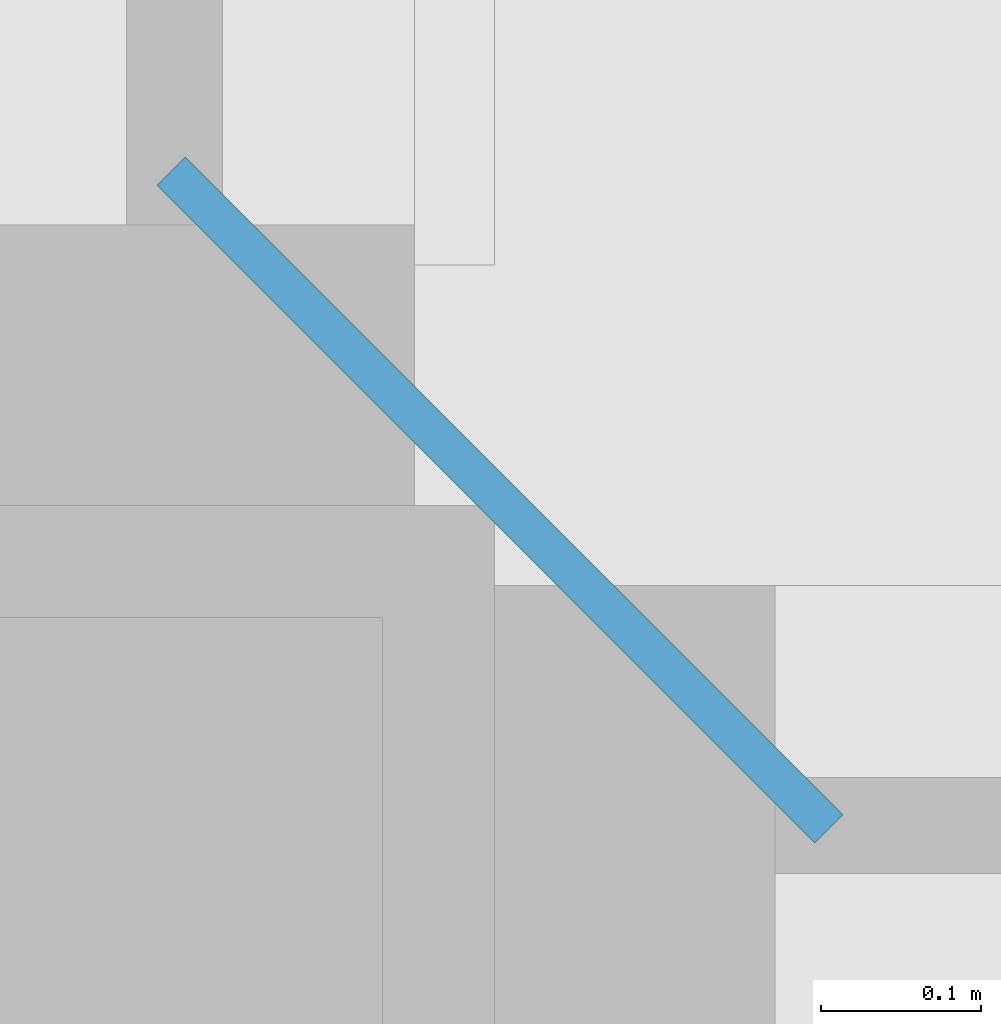
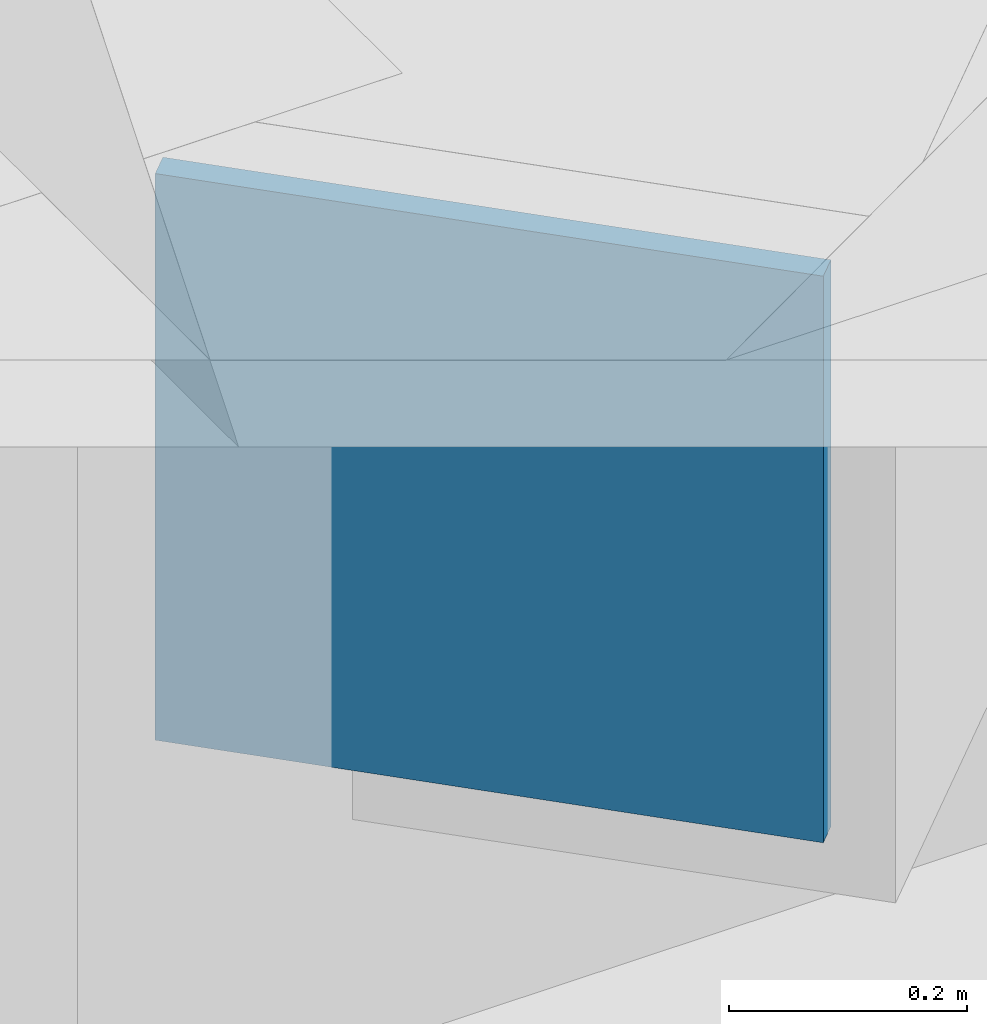
# One storey, part 3 of 15: 1 plate.
"""IFC4 building model written with IfcOpenShell, lengths in metres."""

from ifc_helpers import new_model, si_unit, direction, frame, origin, origin_2d, place, context, subcontext, project, spatial, rectangle, extrude, material, layer, layer_set, type_object, element, save


model = new_model("IFC4")

# Units and contexts
model_context = context("Model", 3, precision=1e-05, world=origin(), true_north=direction((0.0, 1.0)))
body_context = subcontext(model_context, "Body", "Model", "MODEL_VIEW")
ifc_project = project(units=[si_unit("LENGTHUNIT", "METRE"), si_unit("AREAUNIT", "SQUARE_METRE"), si_unit("VOLUMEUNIT", "CUBIC_METRE"), si_unit("PLANEANGLEUNIT", "RADIAN"), si_unit("MASSUNIT", "GRAM", prefix="KILO")], contexts=[model_context])

# Site, building, storey
site_placement = place(None, origin())
site = spatial("IfcSite", under=ifc_project, at=site_placement, CompositionType="ELEMENT")
building_placement = place(site_placement, origin())
building = spatial("IfcBuilding", under=site, at=building_placement, Name="Kopane Lantern Tower", CompositionType="ELEMENT")
storey_placement = place(building_placement, frame((0.0, 0.0, 242.39990234375)))
storey = spatial("IfcBuildingStorey", under=building, at=storey_placement, Name="L62", CompositionType="ELEMENT", Elevation=242.39990234375)

# Plate
ifc_material = material(Name="Steel S355JR", Category="steel")
ifc_layer = layer(ifc_material, 0.02490234375)
ifc_layer_set = layer_set([ifc_layer], Name="STEEL END CAP PLATE PL25")
plate_type = type_object("IfcPlateType", Name="STEEL END CAP PLATE PL25", PredefinedType="USERDEFINED", material=ifc_layer_set)
plate_placement = place(storey_placement, frame((4.4033203125, 20.603271484375, -0.890380859375), z_axis=(0.0, 0.0, 1.0), x_axis=(-0.707106781187, -0.707106781187, 0.0)))
element("IfcPlate", 1, at=plate_placement, inside=storey, type_object=plate_type, Name="Corner tie beam end cap plate L62", ObjectType="PLATE", PredefinedType="USERDEFINED", context=body_context, shape_type="SweptSolid", body=[
    extrude(rectangle(XDim=0.02490234375, YDim=0.5810546875, at=origin_2d()), origin(), (0.0, 0.0, 1.0), 0.5810546875),
])

save(model, "model.ifc")
